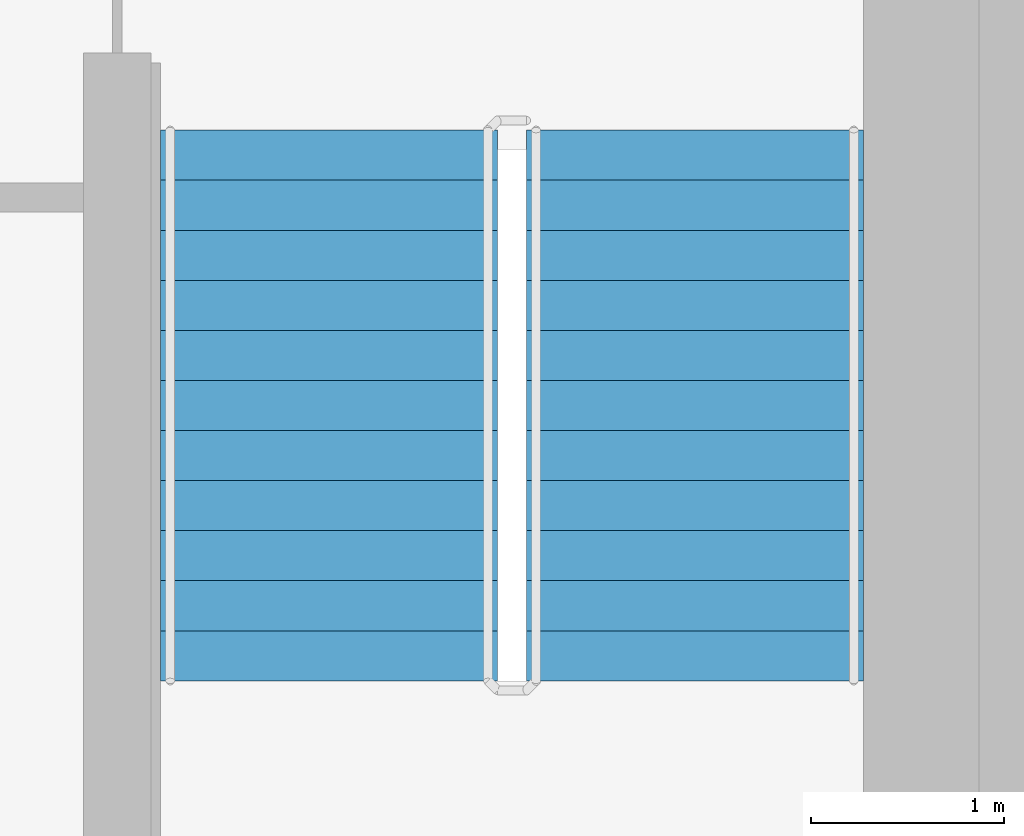
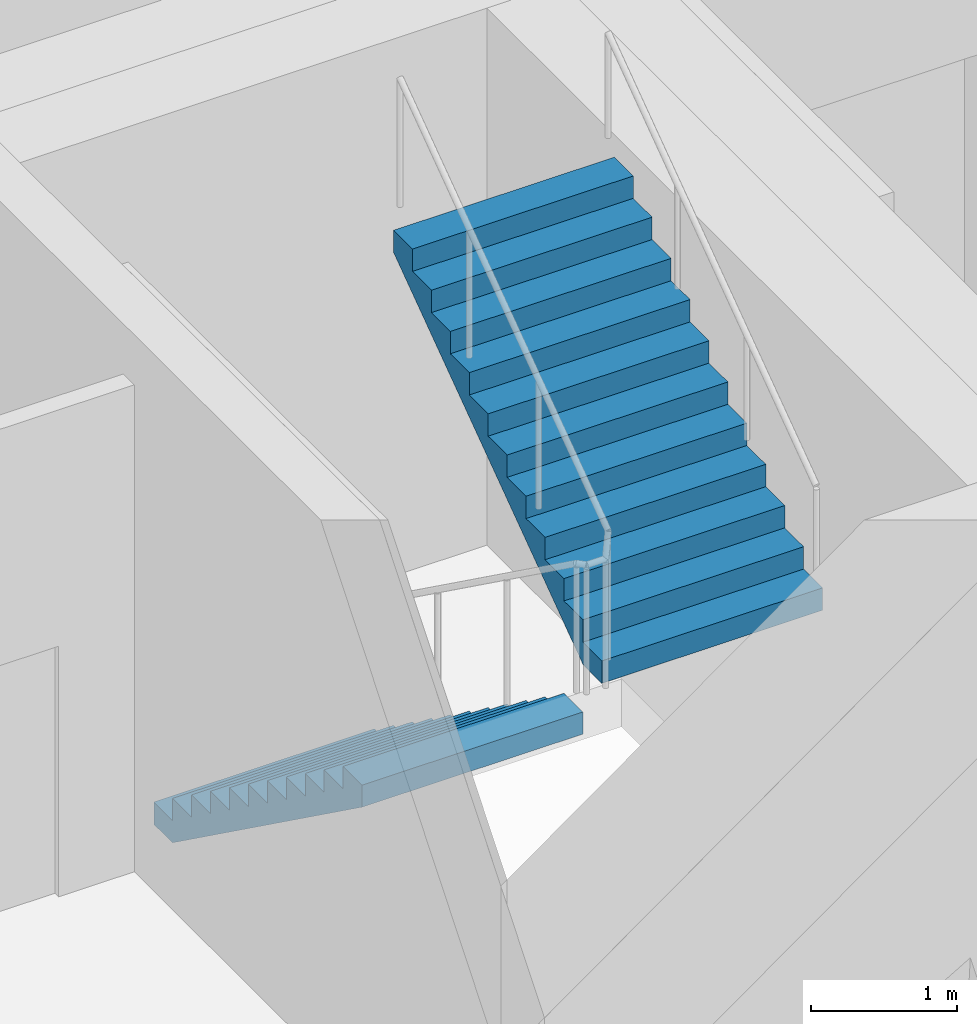
# One storey, part 14 of 20: 2 stair flights, 1 element without a shape of its own.
"""IFC4 building model written with IfcOpenShell, lengths in metres."""

from ifc_helpers import new_model, si_unit, direction, frame, origin, place, context, subcontext, project, spatial, faceted_brep, material, type_object, element, aggregate, save


model = new_model("IFC4")

# Units and contexts
model_context = context("Model", 3, precision=1e-05, world=origin(), true_north=direction((0.0, 1.0)))
body_context = subcontext(model_context, "Body", "Model", "MODEL_VIEW")
ifc_project = project(units=[si_unit("LENGTHUNIT", "METRE"), si_unit("AREAUNIT", "SQUARE_METRE"), si_unit("VOLUMEUNIT", "CUBIC_METRE"), si_unit("PLANEANGLEUNIT", "RADIAN"), si_unit("MASSUNIT", "GRAM", prefix="KILO")], contexts=[model_context])

# Site, building, storey
site_placement = place(None, origin())
site = spatial("IfcSite", under=ifc_project, at=site_placement, CompositionType="ELEMENT")
building_placement = place(site_placement, origin())
building = spatial("IfcBuilding", under=site, at=building_placement, Name="Ipe Terrace Towers", CompositionType="ELEMENT")
storey_placement = place(building_placement, frame((0.0, 0.0, 242.39990234375)))
storey = spatial("IfcBuildingStorey", under=building, at=storey_placement, Name="L67", CompositionType="ELEMENT", Elevation=242.39990234375)

# Stair, stair flights
ifc_material_1 = material(Name="Concrete C30/37", Category="concrete")
stair_type = type_object("IfcStairType", Name="Protected exit stair", PredefinedType="HALF_TURN_STAIR", material=ifc_material_1)
stair_placement = place(storey_placement, origin())
stair = element("IfcStair", 1, at=stair_placement, inside=storey, type_object=stair_type, Name="L67 Exit stair T2-C2", PredefinedType="HALF_TURN_STAIR")
ifc_material_2 = material(Name="Concrete C30/37", Category="concrete")
stair_flight_type = type_object("IfcStairFlightType", Name="Exit stair flight 1750", PredefinedType="STRAIGHT", material=ifc_material_2)
stair_flight_1_placement = place(storey_placement, frame((38.77490234375, -9.699951171875, 0.0), z_axis=(0.0, 0.0, 1.0), x_axis=(0.0, -1.0, 0.0)))
stair_flight_1 = element("IfcStairFlight", 2, at=stair_flight_1_placement, type_object=stair_flight_type, Name="T2-ST2 flight 1", NumberOfRisers=12, NumberOfTreads=11, PredefinedType="STRAIGHT", RiserHeight=0.1875, TreadLength=0.26, context=body_context, shape_type="Brep", body=[
    faceted_brep([(0.25634765625, -0.875, 0.0), (2.860107421875, -0.875, 1.877685546875), (2.860107421875, -0.875, 2.0625), (2.60009765625, -0.875, 2.0625), (2.60009765625, -0.875, 1.875), (2.340087890625, -0.875, 1.875), (2.340087890625, -0.875, 1.6875), (2.080078125, -0.875, 1.6875), (2.080078125, -0.875, 1.5), (1.820068359375, -0.875, 1.5), (1.820068359375, -0.875, 1.3125), (1.56005859375, -0.875, 1.3125), (1.56005859375, -0.875, 1.125), (1.300048828125, -0.875, 1.125), (1.300048828125, -0.875, 0.9375), (1.0400390625, -0.875, 0.9375), (1.0400390625, -0.875, 0.75), (0.780029296875, -0.875, 0.75), (0.780029296875, -0.875, 0.5625), (0.52001953125, -0.875, 0.5625), (0.52001953125, -0.875, 0.375), (0.260009765625, -0.875, 0.375), (0.260009765625, -0.875, 0.1875), (0.0, -0.875, 0.1875), (0.0, -0.875, 0.0), (0.0, 0.875, 0.0), (0.0, 0.875, 0.1875), (0.260009765625, 0.875, 0.1875), (0.260009765625, 0.875, 0.375), (0.52001953125, 0.875, 0.375), (0.52001953125, 0.875, 0.5625), (0.780029296875, 0.875, 0.5625), (0.780029296875, 0.875, 0.75), (1.0400390625, 0.875, 0.75), (1.0400390625, 0.875, 0.9375), (1.300048828125, 0.875, 0.9375), (1.300048828125, 0.875, 1.125), (1.56005859375, 0.875, 1.125), (1.56005859375, 0.875, 1.3125), (1.820068359375, 0.875, 1.3125), (1.820068359375, 0.875, 1.5), (2.080078125, 0.875, 1.5), (2.080078125, 0.875, 1.6875), (2.340087890625, 0.875, 1.6875), (2.340087890625, 0.875, 1.875), (2.60009765625, 0.875, 1.875), (2.60009765625, 0.875, 2.0625), (2.860107421875, 0.875, 2.0625), (2.860107421875, 0.875, 1.877685546875), (0.25634765625, 0.875, 0.0), (0.0, -0.300048828125, 0.1875), (0.0, -0.1201171875, 0.1875), (0.0, -0.06005859375, 0.1875), (0.0, -0.030029296875, 0.1875), (0.0, -0.010009765625, 0.1875), (0.0, 0.0, 0.1875), (0.0, 0.010009765625, 0.1875), (0.0, 0.030029296875, 0.1875), (0.0, 0.06005859375, 0.1875), (0.0, 0.1201171875, 0.1875), (0.0, 0.300048828125, 0.1875), (0.0, 0.300048828125, 0.0), (0.0, 0.1201171875, 0.0), (0.0, 0.06005859375, 0.0), (0.0, 0.030029296875, 0.0), (0.0, 0.010009765625, 0.0), (0.0, 0.0, 0.0), (0.0, -0.010009765625, 0.0), (0.0, -0.030029296875, 0.0), (0.0, -0.06005859375, 0.0), (0.0, -0.1201171875, 0.0), (0.0, -0.300048828125, 0.0), (0.260009765625, -0.300048828125, 0.1875), (0.260009765625, -0.1201171875, 0.1875), (0.260009765625, -0.06005859375, 0.1875), (0.260009765625, -0.030029296875, 0.1875), (0.260009765625, -0.010009765625, 0.1875), (0.260009765625, 0.0, 0.1875), (0.260009765625, 0.010009765625, 0.1875), (0.260009765625, 0.030029296875, 0.1875), (0.260009765625, 0.06005859375, 0.1875), (0.260009765625, 0.1201171875, 0.1875), (0.260009765625, 0.300048828125, 0.1875), (0.260009765625, -0.300048828125, 0.375), (0.260009765625, -0.1201171875, 0.375), (0.260009765625, -0.06005859375, 0.375), (0.260009765625, -0.030029296875, 0.375), (0.260009765625, -0.010009765625, 0.375), (0.260009765625, 0.0, 0.375), (0.260009765625, 0.010009765625, 0.375), (0.260009765625, 0.030029296875, 0.375), (0.260009765625, 0.06005859375, 0.375), (0.260009765625, 0.1201171875, 0.375), (0.260009765625, 0.300048828125, 0.375), (0.52001953125, -0.300048828125, 0.375), (0.52001953125, -0.1201171875, 0.375), (0.52001953125, -0.06005859375, 0.375), (0.52001953125, -0.030029296875, 0.375), (0.52001953125, -0.010009765625, 0.375), (0.52001953125, 0.0, 0.375), (0.52001953125, 0.010009765625, 0.375), (0.52001953125, 0.030029296875, 0.375), (0.52001953125, 0.06005859375, 0.375), (0.52001953125, 0.1201171875, 0.375), (0.52001953125, 0.300048828125, 0.375), (0.52001953125, -0.300048828125, 0.5625), (0.52001953125, -0.1201171875, 0.5625), (0.52001953125, -0.06005859375, 0.5625), (0.52001953125, -0.030029296875, 0.5625), (0.52001953125, -0.010009765625, 0.5625), (0.52001953125, 0.0, 0.5625), (0.52001953125, 0.010009765625, 0.5625), (0.52001953125, 0.030029296875, 0.5625), (0.52001953125, 0.06005859375, 0.5625), (0.52001953125, 0.1201171875, 0.5625), (0.52001953125, 0.300048828125, 0.5625), (0.780029296875, -0.300048828125, 0.5625), (0.780029296875, -0.1201171875, 0.5625), (0.780029296875, -0.06005859375, 0.5625), (0.780029296875, -0.030029296875, 0.5625), (0.780029296875, -0.010009765625, 0.5625), (0.780029296875, 0.0, 0.5625), (0.780029296875, 0.010009765625, 0.5625), (0.780029296875, 0.030029296875, 0.5625), (0.780029296875, 0.06005859375, 0.5625), (0.780029296875, 0.1201171875, 0.5625), (0.780029296875, 0.300048828125, 0.5625), (0.780029296875, -0.300048828125, 0.75), (0.780029296875, -0.1201171875, 0.75), (0.780029296875, -0.06005859375, 0.75), (0.780029296875, -0.030029296875, 0.75), (0.780029296875, -0.010009765625, 0.75), (0.780029296875, 0.0, 0.75), (0.780029296875, 0.010009765625, 0.75), (0.780029296875, 0.030029296875, 0.75), (0.780029296875, 0.06005859375, 0.75), (0.780029296875, 0.1201171875, 0.75), (0.780029296875, 0.300048828125, 0.75), (1.0400390625, -0.300048828125, 0.75), (1.0400390625, -0.1201171875, 0.75), (1.0400390625, -0.06005859375, 0.75), (1.0400390625, -0.030029296875, 0.75), (1.0400390625, -0.010009765625, 0.75), (1.0400390625, 0.0, 0.75), (1.0400390625, 0.010009765625, 0.75), (1.0400390625, 0.030029296875, 0.75), (1.0400390625, 0.06005859375, 0.75), (1.0400390625, 0.1201171875, 0.75), (1.0400390625, 0.300048828125, 0.75), (1.0400390625, -0.300048828125, 0.9375), (1.0400390625, -0.1201171875, 0.9375), (1.0400390625, -0.06005859375, 0.9375), (1.0400390625, -0.030029296875, 0.9375), (1.0400390625, -0.010009765625, 0.9375), (1.0400390625, 0.0, 0.9375), (1.0400390625, 0.010009765625, 0.9375), (1.0400390625, 0.030029296875, 0.9375), (1.0400390625, 0.06005859375, 0.9375), (1.0400390625, 0.1201171875, 0.9375), (1.0400390625, 0.300048828125, 0.9375), (1.300048828125, -0.300048828125, 0.9375), (1.300048828125, -0.1201171875, 0.9375), (1.300048828125, -0.06005859375, 0.9375), (1.300048828125, -0.030029296875, 0.9375), (1.300048828125, -0.010009765625, 0.9375), (1.300048828125, 0.0, 0.9375), (1.300048828125, 0.010009765625, 0.9375), (1.300048828125, 0.030029296875, 0.9375), (1.300048828125, 0.06005859375, 0.9375), (1.300048828125, 0.1201171875, 0.9375), (1.300048828125, 0.300048828125, 0.9375), (1.300048828125, -0.300048828125, 1.125), (1.300048828125, -0.1201171875, 1.125), (1.300048828125, -0.06005859375, 1.125), (1.300048828125, -0.030029296875, 1.125), (1.300048828125, -0.010009765625, 1.125), (1.300048828125, 0.0, 1.125), (1.300048828125, 0.010009765625, 1.125), (1.300048828125, 0.030029296875, 1.125), (1.300048828125, 0.06005859375, 1.125), (1.300048828125, 0.1201171875, 1.125), (1.300048828125, 0.300048828125, 1.125), (1.56005859375, -0.300048828125, 1.125), (1.56005859375, -0.1201171875, 1.125), (1.56005859375, -0.06005859375, 1.125), (1.56005859375, -0.030029296875, 1.125), (1.56005859375, -0.010009765625, 1.125), (1.56005859375, 0.0, 1.125), (1.56005859375, 0.010009765625, 1.125), (1.56005859375, 0.030029296875, 1.125), (1.56005859375, 0.06005859375, 1.125), (1.56005859375, 0.1201171875, 1.125), (1.56005859375, 0.300048828125, 1.125), (1.56005859375, -0.300048828125, 1.3125), (1.56005859375, -0.1201171875, 1.3125), (1.56005859375, -0.06005859375, 1.3125), (1.56005859375, -0.030029296875, 1.3125), (1.56005859375, -0.010009765625, 1.3125), (1.56005859375, 0.0, 1.3125), (1.56005859375, 0.010009765625, 1.3125), (1.56005859375, 0.030029296875, 1.3125), (1.56005859375, 0.06005859375, 1.3125), (1.56005859375, 0.1201171875, 1.3125), (1.56005859375, 0.300048828125, 1.3125), (1.820068359375, -0.300048828125, 1.3125), (1.820068359375, -0.1201171875, 1.3125), (1.820068359375, -0.06005859375, 1.3125), (1.820068359375, -0.030029296875, 1.3125), (1.820068359375, -0.010009765625, 1.3125), (1.820068359375, 0.0, 1.3125), (1.820068359375, 0.010009765625, 1.3125), (1.820068359375, 0.030029296875, 1.3125), (1.820068359375, 0.06005859375, 1.3125), (1.820068359375, 0.1201171875, 1.3125), (1.820068359375, 0.300048828125, 1.3125), (1.820068359375, -0.300048828125, 1.5), (1.820068359375, -0.1201171875, 1.5), (1.820068359375, -0.06005859375, 1.5), (1.820068359375, -0.030029296875, 1.5), (1.820068359375, -0.010009765625, 1.5), (1.820068359375, 0.0, 1.5), (1.820068359375, 0.010009765625, 1.5), (1.820068359375, 0.030029296875, 1.5), (1.820068359375, 0.06005859375, 1.5), (1.820068359375, 0.1201171875, 1.5), (1.820068359375, 0.300048828125, 1.5), (2.080078125, -0.300048828125, 1.5), (2.080078125, -0.1201171875, 1.5), (2.080078125, -0.06005859375, 1.5), (2.080078125, -0.030029296875, 1.5), (2.080078125, -0.010009765625, 1.5), (2.080078125, 0.0, 1.5), (2.080078125, 0.010009765625, 1.5), (2.080078125, 0.030029296875, 1.5), (2.080078125, 0.06005859375, 1.5), (2.080078125, 0.1201171875, 1.5), (2.080078125, 0.300048828125, 1.5), (2.080078125, -0.300048828125, 1.6875), (2.080078125, -0.1201171875, 1.6875), (2.080078125, -0.06005859375, 1.6875), (2.080078125, -0.030029296875, 1.6875), (2.080078125, -0.010009765625, 1.6875), (2.080078125, 0.0, 1.6875), (2.080078125, 0.010009765625, 1.6875), (2.080078125, 0.030029296875, 1.6875), (2.080078125, 0.06005859375, 1.6875), (2.080078125, 0.1201171875, 1.6875), (2.080078125, 0.300048828125, 1.6875), (2.340087890625, -0.300048828125, 1.6875), (2.340087890625, -0.1201171875, 1.6875), (2.340087890625, -0.06005859375, 1.6875), (2.340087890625, -0.030029296875, 1.6875), (2.340087890625, -0.010009765625, 1.6875), (2.340087890625, 0.0, 1.6875), (2.340087890625, 0.010009765625, 1.6875), (2.340087890625, 0.030029296875, 1.6875), (2.340087890625, 0.06005859375, 1.6875), (2.340087890625, 0.1201171875, 1.6875), (2.340087890625, 0.300048828125, 1.6875), (2.340087890625, -0.300048828125, 1.875), (2.340087890625, -0.1201171875, 1.875), (2.340087890625, -0.06005859375, 1.875), (2.340087890625, -0.030029296875, 1.875), (2.340087890625, -0.010009765625, 1.875), (2.340087890625, 0.0, 1.875), (2.340087890625, 0.010009765625, 1.875), (2.340087890625, 0.030029296875, 1.875), (2.340087890625, 0.06005859375, 1.875), (2.340087890625, 0.1201171875, 1.875), (2.340087890625, 0.300048828125, 1.875), (2.60009765625, -0.300048828125, 1.875), (2.60009765625, -0.1201171875, 1.875), (2.60009765625, -0.06005859375, 1.875), (2.60009765625, -0.030029296875, 1.875), (2.60009765625, -0.010009765625, 1.875), (2.60009765625, 0.0, 1.875), (2.60009765625, 0.010009765625, 1.875), (2.60009765625, 0.030029296875, 1.875), (2.60009765625, 0.06005859375, 1.875), (2.60009765625, 0.1201171875, 1.875), (2.60009765625, 0.300048828125, 1.875), (2.60009765625, -0.300048828125, 2.0625), (2.60009765625, -0.1201171875, 2.0625), (2.60009765625, -0.06005859375, 2.0625), (2.60009765625, -0.030029296875, 2.0625), (2.60009765625, -0.010009765625, 2.0625), (2.60009765625, 0.0, 2.0625), (2.60009765625, 0.010009765625, 2.0625), (2.60009765625, 0.030029296875, 2.0625), (2.60009765625, 0.06005859375, 2.0625), (2.60009765625, 0.1201171875, 2.0625), (2.60009765625, 0.300048828125, 2.0625), (2.860107421875, -0.300048828125, 2.0625), (2.860107421875, -0.1201171875, 2.0625), (2.860107421875, -0.06005859375, 2.0625), (2.860107421875, -0.030029296875, 2.0625), (2.860107421875, -0.010009765625, 2.0625), (2.860107421875, 0.0, 2.0625), (2.860107421875, 0.010009765625, 2.0625), (2.860107421875, 0.030029296875, 2.0625), (2.860107421875, 0.06005859375, 2.0625), (2.860107421875, 0.1201171875, 2.0625), (2.860107421875, 0.300048828125, 2.0625), (2.860107421875, -0.300048828125, 1.877685546875), (2.860107421875, -0.1201171875, 1.877685546875), (2.860107421875, -0.06005859375, 1.877685546875), (2.860107421875, -0.030029296875, 1.877685546875), (2.860107421875, -0.010009765625, 1.877685546875), (2.860107421875, 0.0, 1.877685546875), (2.860107421875, 0.010009765625, 1.877685546875), (2.860107421875, 0.030029296875, 1.877685546875), (2.860107421875, 0.06005859375, 1.877685546875), (2.860107421875, 0.1201171875, 1.877685546875), (2.860107421875, 0.300048828125, 1.877685546875), (0.25634765625, -0.300048828125, 0.0), (0.25634765625, -0.1201171875, 0.0), (0.25634765625, -0.06005859375, 0.0), (0.25634765625, -0.030029296875, 0.0), (0.25634765625, -0.010009765625, 0.0), (0.25634765625, 0.0, 0.0), (0.25634765625, 0.010009765625, 0.0), (0.25634765625, 0.030029296875, 0.0), (0.25634765625, 0.06005859375, 0.0), (0.25634765625, 0.1201171875, 0.0), (0.25634765625, 0.300048828125, 0.0)], [[[0, 1, 2, 3, 4, 5, 6, 7, 8, 9, 10, 11, 12, 13, 14, 15, 16, 17, 18, 19, 20, 21, 22, 23, 24]], [[25, 26, 27, 28, 29, 30, 31, 32, 33, 34, 35, 36, 37, 38, 39, 40, 41, 42, 43, 44, 45, 46, 47, 48, 49]], [[23, 50, 51, 52, 53, 54, 55, 56, 57, 58, 59, 60, 26, 25, 61, 62, 63, 64, 65, 66, 67, 68, 69, 70, 71, 24]], [[22, 72, 73, 74, 75, 76, 77, 78, 79, 80, 81, 82, 27, 26, 60, 59, 58, 57, 56, 55, 54, 53, 52, 51, 50, 23]], [[21, 83, 84, 85, 86, 87, 88, 89, 90, 91, 92, 93, 28, 27, 82, 81, 80, 79, 78, 77, 76, 75, 74, 73, 72, 22]], [[20, 94, 95, 96, 97, 98, 99, 100, 101, 102, 103, 104, 29, 28, 93, 92, 91, 90, 89, 88, 87, 86, 85, 84, 83, 21]], [[19, 105, 106, 107, 108, 109, 110, 111, 112, 113, 114, 115, 30, 29, 104, 103, 102, 101, 100, 99, 98, 97, 96, 95, 94, 20]], [[18, 116, 117, 118, 119, 120, 121, 122, 123, 124, 125, 126, 31, 30, 115, 114, 113, 112, 111, 110, 109, 108, 107, 106, 105, 19]], [[17, 127, 128, 129, 130, 131, 132, 133, 134, 135, 136, 137, 32, 31, 126, 125, 124, 123, 122, 121, 120, 119, 118, 117, 116, 18]], [[16, 138, 139, 140, 141, 142, 143, 144, 145, 146, 147, 148, 33, 32, 137, 136, 135, 134, 133, 132, 131, 130, 129, 128, 127, 17]], [[15, 149, 150, 151, 152, 153, 154, 155, 156, 157, 158, 159, 34, 33, 148, 147, 146, 145, 144, 143, 142, 141, 140, 139, 138, 16]], [[14, 160, 161, 162, 163, 164, 165, 166, 167, 168, 169, 170, 35, 34, 159, 158, 157, 156, 155, 154, 153, 152, 151, 150, 149, 15]], [[13, 171, 172, 173, 174, 175, 176, 177, 178, 179, 180, 181, 36, 35, 170, 169, 168, 167, 166, 165, 164, 163, 162, 161, 160, 14]], [[12, 182, 183, 184, 185, 186, 187, 188, 189, 190, 191, 192, 37, 36, 181, 180, 179, 178, 177, 176, 175, 174, 173, 172, 171, 13]], [[11, 193, 194, 195, 196, 197, 198, 199, 200, 201, 202, 203, 38, 37, 192, 191, 190, 189, 188, 187, 186, 185, 184, 183, 182, 12]], [[10, 204, 205, 206, 207, 208, 209, 210, 211, 212, 213, 214, 39, 38, 203, 202, 201, 200, 199, 198, 197, 196, 195, 194, 193, 11]], [[9, 215, 216, 217, 218, 219, 220, 221, 222, 223, 224, 225, 40, 39, 214, 213, 212, 211, 210, 209, 208, 207, 206, 205, 204, 10]], [[8, 226, 227, 228, 229, 230, 231, 232, 233, 234, 235, 236, 41, 40, 225, 224, 223, 222, 221, 220, 219, 218, 217, 216, 215, 9]], [[7, 237, 238, 239, 240, 241, 242, 243, 244, 245, 246, 247, 42, 41, 236, 235, 234, 233, 232, 231, 230, 229, 228, 227, 226, 8]], [[6, 248, 249, 250, 251, 252, 253, 254, 255, 256, 257, 258, 43, 42, 247, 246, 245, 244, 243, 242, 241, 240, 239, 238, 237, 7]], [[5, 259, 260, 261, 262, 263, 264, 265, 266, 267, 268, 269, 44, 43, 258, 257, 256, 255, 254, 253, 252, 251, 250, 249, 248, 6]], [[4, 270, 271, 272, 273, 274, 275, 276, 277, 278, 279, 280, 45, 44, 269, 268, 267, 266, 265, 264, 263, 262, 261, 260, 259, 5]], [[3, 281, 282, 283, 284, 285, 286, 287, 288, 289, 290, 291, 46, 45, 280, 279, 278, 277, 276, 275, 274, 273, 272, 271, 270, 4]], [[2, 292, 293, 294, 295, 296, 297, 298, 299, 300, 301, 302, 47, 46, 291, 290, 289, 288, 287, 286, 285, 284, 283, 282, 281, 3]], [[1, 303, 304, 305, 306, 307, 308, 309, 310, 311, 312, 313, 48, 47, 302, 301, 300, 299, 298, 297, 296, 295, 294, 293, 292, 2]], [[0, 314, 315, 316, 317, 318, 319, 320, 321, 322, 323, 324, 49, 48, 313, 312, 311, 310, 309, 308, 307, 306, 305, 304, 303, 1]], [[24, 71, 70, 69, 68, 67, 66, 65, 64, 63, 62, 61, 25, 49, 324, 323, 322, 321, 320, 319, 318, 317, 316, 315, 314, 0]]]),
])
stair_flight_2_placement = place(storey_placement, frame((40.675048828125, -12.56005859375, 2.25), z_axis=(0.0, 0.0, 1.0), x_axis=(0.0, 1.0, 0.0)))
stair_flight_2 = element("IfcStairFlight", 3, at=stair_flight_2_placement, type_object=stair_flight_type, Name="T2-ST2 flight 2", NumberOfRisers=12, NumberOfTreads=11, PredefinedType="STRAIGHT", RiserHeight=0.1875, TreadLength=0.26, context=body_context, shape_type="Brep", body=[
    faceted_brep([(0.25634765625, -0.875, 0.0), (2.860107421875, -0.875, 1.877685546875), (2.860107421875, -0.875, 2.0625), (2.60009765625, -0.875, 2.0625), (2.60009765625, -0.875, 1.875), (2.340087890625, -0.875, 1.875), (2.340087890625, -0.875, 1.6875), (2.080078125, -0.875, 1.6875), (2.080078125, -0.875, 1.5), (1.820068359375, -0.875, 1.5), (1.820068359375, -0.875, 1.3125), (1.56005859375, -0.875, 1.3125), (1.56005859375, -0.875, 1.125), (1.300048828125, -0.875, 1.125), (1.300048828125, -0.875, 0.9375), (1.0400390625, -0.875, 0.9375), (1.0400390625, -0.875, 0.75), (0.780029296875, -0.875, 0.75), (0.780029296875, -0.875, 0.5625), (0.52001953125, -0.875, 0.5625), (0.52001953125, -0.875, 0.375), (0.260009765625, -0.875, 0.375), (0.260009765625, -0.875, 0.1875), (0.0, -0.875, 0.1875), (0.0, -0.875, 0.0), (0.0, 0.875, 0.0), (0.0, 0.875, 0.1875), (0.260009765625, 0.875, 0.1875), (0.260009765625, 0.875, 0.375), (0.52001953125, 0.875, 0.375), (0.52001953125, 0.875, 0.5625), (0.780029296875, 0.875, 0.5625), (0.780029296875, 0.875, 0.75), (1.0400390625, 0.875, 0.75), (1.0400390625, 0.875, 0.9375), (1.300048828125, 0.875, 0.9375), (1.300048828125, 0.875, 1.125), (1.56005859375, 0.875, 1.125), (1.56005859375, 0.875, 1.3125), (1.820068359375, 0.875, 1.3125), (1.820068359375, 0.875, 1.5), (2.080078125, 0.875, 1.5), (2.080078125, 0.875, 1.6875), (2.340087890625, 0.875, 1.6875), (2.340087890625, 0.875, 1.875), (2.60009765625, 0.875, 1.875), (2.60009765625, 0.875, 2.0625), (2.860107421875, 0.875, 2.0625), (2.860107421875, 0.875, 1.877685546875), (0.25634765625, 0.875, 0.0), (0.0, -0.300048828125, 0.1875), (0.0, -0.1201171875, 0.1875), (0.0, -0.06005859375, 0.1875), (0.0, -0.030029296875, 0.1875), (0.0, -0.010009765625, 0.1875), (0.0, 0.0, 0.1875), (0.0, 0.010009765625, 0.1875), (0.0, 0.030029296875, 0.1875), (0.0, 0.06005859375, 0.1875), (0.0, 0.1201171875, 0.1875), (0.0, 0.300048828125, 0.1875), (0.0, 0.300048828125, 0.0), (0.0, 0.1201171875, 0.0), (0.0, 0.06005859375, 0.0), (0.0, 0.030029296875, 0.0), (0.0, 0.010009765625, 0.0), (0.0, 0.0, 0.0), (0.0, -0.010009765625, 0.0), (0.0, -0.030029296875, 0.0), (0.0, -0.06005859375, 0.0), (0.0, -0.1201171875, 0.0), (0.0, -0.300048828125, 0.0), (0.260009765625, -0.300048828125, 0.1875), (0.260009765625, -0.1201171875, 0.1875), (0.260009765625, -0.06005859375, 0.1875), (0.260009765625, -0.030029296875, 0.1875), (0.260009765625, -0.010009765625, 0.1875), (0.260009765625, 0.0, 0.1875), (0.260009765625, 0.010009765625, 0.1875), (0.260009765625, 0.030029296875, 0.1875), (0.260009765625, 0.06005859375, 0.1875), (0.260009765625, 0.1201171875, 0.1875), (0.260009765625, 0.300048828125, 0.1875), (0.260009765625, -0.300048828125, 0.375), (0.260009765625, -0.1201171875, 0.375), (0.260009765625, -0.06005859375, 0.375), (0.260009765625, -0.030029296875, 0.375), (0.260009765625, -0.010009765625, 0.375), (0.260009765625, 0.0, 0.375), (0.260009765625, 0.010009765625, 0.375), (0.260009765625, 0.030029296875, 0.375), (0.260009765625, 0.06005859375, 0.375), (0.260009765625, 0.1201171875, 0.375), (0.260009765625, 0.300048828125, 0.375), (0.52001953125, -0.300048828125, 0.375), (0.52001953125, -0.1201171875, 0.375), (0.52001953125, -0.06005859375, 0.375), (0.52001953125, -0.030029296875, 0.375), (0.52001953125, -0.010009765625, 0.375), (0.52001953125, 0.0, 0.375), (0.52001953125, 0.010009765625, 0.375), (0.52001953125, 0.030029296875, 0.375), (0.52001953125, 0.06005859375, 0.375), (0.52001953125, 0.1201171875, 0.375), (0.52001953125, 0.300048828125, 0.375), (0.52001953125, -0.300048828125, 0.5625), (0.52001953125, -0.1201171875, 0.5625), (0.52001953125, -0.06005859375, 0.5625), (0.52001953125, -0.030029296875, 0.5625), (0.52001953125, -0.010009765625, 0.5625), (0.52001953125, 0.0, 0.5625), (0.52001953125, 0.010009765625, 0.5625), (0.52001953125, 0.030029296875, 0.5625), (0.52001953125, 0.06005859375, 0.5625), (0.52001953125, 0.1201171875, 0.5625), (0.52001953125, 0.300048828125, 0.5625), (0.780029296875, -0.300048828125, 0.5625), (0.780029296875, -0.1201171875, 0.5625), (0.780029296875, -0.06005859375, 0.5625), (0.780029296875, -0.030029296875, 0.5625), (0.780029296875, -0.010009765625, 0.5625), (0.780029296875, 0.0, 0.5625), (0.780029296875, 0.010009765625, 0.5625), (0.780029296875, 0.030029296875, 0.5625), (0.780029296875, 0.06005859375, 0.5625), (0.780029296875, 0.1201171875, 0.5625), (0.780029296875, 0.300048828125, 0.5625), (0.780029296875, -0.300048828125, 0.75), (0.780029296875, -0.1201171875, 0.75), (0.780029296875, -0.06005859375, 0.75), (0.780029296875, -0.030029296875, 0.75), (0.780029296875, -0.010009765625, 0.75), (0.780029296875, 0.0, 0.75), (0.780029296875, 0.010009765625, 0.75), (0.780029296875, 0.030029296875, 0.75), (0.780029296875, 0.06005859375, 0.75), (0.780029296875, 0.1201171875, 0.75), (0.780029296875, 0.300048828125, 0.75), (1.0400390625, -0.300048828125, 0.75), (1.0400390625, -0.1201171875, 0.75), (1.0400390625, -0.06005859375, 0.75), (1.0400390625, -0.030029296875, 0.75), (1.0400390625, -0.010009765625, 0.75), (1.0400390625, 0.0, 0.75), (1.0400390625, 0.010009765625, 0.75), (1.0400390625, 0.030029296875, 0.75), (1.0400390625, 0.06005859375, 0.75), (1.0400390625, 0.1201171875, 0.75), (1.0400390625, 0.300048828125, 0.75), (1.0400390625, -0.300048828125, 0.9375), (1.0400390625, -0.1201171875, 0.9375), (1.0400390625, -0.06005859375, 0.9375), (1.0400390625, -0.030029296875, 0.9375), (1.0400390625, -0.010009765625, 0.9375), (1.0400390625, 0.0, 0.9375), (1.0400390625, 0.010009765625, 0.9375), (1.0400390625, 0.030029296875, 0.9375), (1.0400390625, 0.06005859375, 0.9375), (1.0400390625, 0.1201171875, 0.9375), (1.0400390625, 0.300048828125, 0.9375), (1.300048828125, -0.300048828125, 0.9375), (1.300048828125, -0.1201171875, 0.9375), (1.300048828125, -0.06005859375, 0.9375), (1.300048828125, -0.030029296875, 0.9375), (1.300048828125, -0.010009765625, 0.9375), (1.300048828125, 0.0, 0.9375), (1.300048828125, 0.010009765625, 0.9375), (1.300048828125, 0.030029296875, 0.9375), (1.300048828125, 0.06005859375, 0.9375), (1.300048828125, 0.1201171875, 0.9375), (1.300048828125, 0.300048828125, 0.9375), (1.300048828125, -0.300048828125, 1.125), (1.300048828125, -0.1201171875, 1.125), (1.300048828125, -0.06005859375, 1.125), (1.300048828125, -0.030029296875, 1.125), (1.300048828125, -0.010009765625, 1.125), (1.300048828125, 0.0, 1.125), (1.300048828125, 0.010009765625, 1.125), (1.300048828125, 0.030029296875, 1.125), (1.300048828125, 0.06005859375, 1.125), (1.300048828125, 0.1201171875, 1.125), (1.300048828125, 0.300048828125, 1.125), (1.56005859375, -0.300048828125, 1.125), (1.56005859375, -0.1201171875, 1.125), (1.56005859375, -0.06005859375, 1.125), (1.56005859375, -0.030029296875, 1.125), (1.56005859375, -0.010009765625, 1.125), (1.56005859375, 0.0, 1.125), (1.56005859375, 0.010009765625, 1.125), (1.56005859375, 0.030029296875, 1.125), (1.56005859375, 0.06005859375, 1.125), (1.56005859375, 0.1201171875, 1.125), (1.56005859375, 0.300048828125, 1.125), (1.56005859375, -0.300048828125, 1.3125), (1.56005859375, -0.1201171875, 1.3125), (1.56005859375, -0.06005859375, 1.3125), (1.56005859375, -0.030029296875, 1.3125), (1.56005859375, -0.010009765625, 1.3125), (1.56005859375, 0.0, 1.3125), (1.56005859375, 0.010009765625, 1.3125), (1.56005859375, 0.030029296875, 1.3125), (1.56005859375, 0.06005859375, 1.3125), (1.56005859375, 0.1201171875, 1.3125), (1.56005859375, 0.300048828125, 1.3125), (1.820068359375, -0.300048828125, 1.3125), (1.820068359375, -0.1201171875, 1.3125), (1.820068359375, -0.06005859375, 1.3125), (1.820068359375, -0.030029296875, 1.3125), (1.820068359375, -0.010009765625, 1.3125), (1.820068359375, 0.0, 1.3125), (1.820068359375, 0.010009765625, 1.3125), (1.820068359375, 0.030029296875, 1.3125), (1.820068359375, 0.06005859375, 1.3125), (1.820068359375, 0.1201171875, 1.3125), (1.820068359375, 0.300048828125, 1.3125), (1.820068359375, -0.300048828125, 1.5), (1.820068359375, -0.1201171875, 1.5), (1.820068359375, -0.06005859375, 1.5), (1.820068359375, -0.030029296875, 1.5), (1.820068359375, -0.010009765625, 1.5), (1.820068359375, 0.0, 1.5), (1.820068359375, 0.010009765625, 1.5), (1.820068359375, 0.030029296875, 1.5), (1.820068359375, 0.06005859375, 1.5), (1.820068359375, 0.1201171875, 1.5), (1.820068359375, 0.300048828125, 1.5), (2.080078125, -0.300048828125, 1.5), (2.080078125, -0.1201171875, 1.5), (2.080078125, -0.06005859375, 1.5), (2.080078125, -0.030029296875, 1.5), (2.080078125, -0.010009765625, 1.5), (2.080078125, 0.0, 1.5), (2.080078125, 0.010009765625, 1.5), (2.080078125, 0.030029296875, 1.5), (2.080078125, 0.06005859375, 1.5), (2.080078125, 0.1201171875, 1.5), (2.080078125, 0.300048828125, 1.5), (2.080078125, -0.300048828125, 1.6875), (2.080078125, -0.1201171875, 1.6875), (2.080078125, -0.06005859375, 1.6875), (2.080078125, -0.030029296875, 1.6875), (2.080078125, -0.010009765625, 1.6875), (2.080078125, 0.0, 1.6875), (2.080078125, 0.010009765625, 1.6875), (2.080078125, 0.030029296875, 1.6875), (2.080078125, 0.06005859375, 1.6875), (2.080078125, 0.1201171875, 1.6875), (2.080078125, 0.300048828125, 1.6875), (2.340087890625, -0.300048828125, 1.6875), (2.340087890625, -0.1201171875, 1.6875), (2.340087890625, -0.06005859375, 1.6875), (2.340087890625, -0.030029296875, 1.6875), (2.340087890625, -0.010009765625, 1.6875), (2.340087890625, 0.0, 1.6875), (2.340087890625, 0.010009765625, 1.6875), (2.340087890625, 0.030029296875, 1.6875), (2.340087890625, 0.06005859375, 1.6875), (2.340087890625, 0.1201171875, 1.6875), (2.340087890625, 0.300048828125, 1.6875), (2.340087890625, -0.300048828125, 1.875), (2.340087890625, -0.1201171875, 1.875), (2.340087890625, -0.06005859375, 1.875), (2.340087890625, -0.030029296875, 1.875), (2.340087890625, -0.010009765625, 1.875), (2.340087890625, 0.0, 1.875), (2.340087890625, 0.010009765625, 1.875), (2.340087890625, 0.030029296875, 1.875), (2.340087890625, 0.06005859375, 1.875), (2.340087890625, 0.1201171875, 1.875), (2.340087890625, 0.300048828125, 1.875), (2.60009765625, -0.300048828125, 1.875), (2.60009765625, -0.1201171875, 1.875), (2.60009765625, -0.06005859375, 1.875), (2.60009765625, -0.030029296875, 1.875), (2.60009765625, -0.010009765625, 1.875), (2.60009765625, 0.0, 1.875), (2.60009765625, 0.010009765625, 1.875), (2.60009765625, 0.030029296875, 1.875), (2.60009765625, 0.06005859375, 1.875), (2.60009765625, 0.1201171875, 1.875), (2.60009765625, 0.300048828125, 1.875), (2.60009765625, -0.300048828125, 2.0625), (2.60009765625, -0.1201171875, 2.0625), (2.60009765625, -0.06005859375, 2.0625), (2.60009765625, -0.030029296875, 2.0625), (2.60009765625, -0.010009765625, 2.0625), (2.60009765625, 0.0, 2.0625), (2.60009765625, 0.010009765625, 2.0625), (2.60009765625, 0.030029296875, 2.0625), (2.60009765625, 0.06005859375, 2.0625), (2.60009765625, 0.1201171875, 2.0625), (2.60009765625, 0.300048828125, 2.0625), (2.860107421875, -0.300048828125, 2.0625), (2.860107421875, -0.1201171875, 2.0625), (2.860107421875, -0.06005859375, 2.0625), (2.860107421875, -0.030029296875, 2.0625), (2.860107421875, -0.010009765625, 2.0625), (2.860107421875, 0.0, 2.0625), (2.860107421875, 0.010009765625, 2.0625), (2.860107421875, 0.030029296875, 2.0625), (2.860107421875, 0.06005859375, 2.0625), (2.860107421875, 0.1201171875, 2.0625), (2.860107421875, 0.300048828125, 2.0625), (2.860107421875, -0.300048828125, 1.877685546875), (2.860107421875, -0.1201171875, 1.877685546875), (2.860107421875, -0.06005859375, 1.877685546875), (2.860107421875, -0.030029296875, 1.877685546875), (2.860107421875, -0.010009765625, 1.877685546875), (2.860107421875, 0.0, 1.877685546875), (2.860107421875, 0.010009765625, 1.877685546875), (2.860107421875, 0.030029296875, 1.877685546875), (2.860107421875, 0.06005859375, 1.877685546875), (2.860107421875, 0.1201171875, 1.877685546875), (2.860107421875, 0.300048828125, 1.877685546875), (0.25634765625, -0.300048828125, 0.0), (0.25634765625, -0.1201171875, 0.0), (0.25634765625, -0.06005859375, 0.0), (0.25634765625, -0.030029296875, 0.0), (0.25634765625, -0.010009765625, 0.0), (0.25634765625, 0.0, 0.0), (0.25634765625, 0.010009765625, 0.0), (0.25634765625, 0.030029296875, 0.0), (0.25634765625, 0.06005859375, 0.0), (0.25634765625, 0.1201171875, 0.0), (0.25634765625, 0.300048828125, 0.0)], [[[0, 1, 2, 3, 4, 5, 6, 7, 8, 9, 10, 11, 12, 13, 14, 15, 16, 17, 18, 19, 20, 21, 22, 23, 24]], [[25, 26, 27, 28, 29, 30, 31, 32, 33, 34, 35, 36, 37, 38, 39, 40, 41, 42, 43, 44, 45, 46, 47, 48, 49]], [[23, 50, 51, 52, 53, 54, 55, 56, 57, 58, 59, 60, 26, 25, 61, 62, 63, 64, 65, 66, 67, 68, 69, 70, 71, 24]], [[22, 72, 73, 74, 75, 76, 77, 78, 79, 80, 81, 82, 27, 26, 60, 59, 58, 57, 56, 55, 54, 53, 52, 51, 50, 23]], [[21, 83, 84, 85, 86, 87, 88, 89, 90, 91, 92, 93, 28, 27, 82, 81, 80, 79, 78, 77, 76, 75, 74, 73, 72, 22]], [[20, 94, 95, 96, 97, 98, 99, 100, 101, 102, 103, 104, 29, 28, 93, 92, 91, 90, 89, 88, 87, 86, 85, 84, 83, 21]], [[19, 105, 106, 107, 108, 109, 110, 111, 112, 113, 114, 115, 30, 29, 104, 103, 102, 101, 100, 99, 98, 97, 96, 95, 94, 20]], [[18, 116, 117, 118, 119, 120, 121, 122, 123, 124, 125, 126, 31, 30, 115, 114, 113, 112, 111, 110, 109, 108, 107, 106, 105, 19]], [[17, 127, 128, 129, 130, 131, 132, 133, 134, 135, 136, 137, 32, 31, 126, 125, 124, 123, 122, 121, 120, 119, 118, 117, 116, 18]], [[16, 138, 139, 140, 141, 142, 143, 144, 145, 146, 147, 148, 33, 32, 137, 136, 135, 134, 133, 132, 131, 130, 129, 128, 127, 17]], [[15, 149, 150, 151, 152, 153, 154, 155, 156, 157, 158, 159, 34, 33, 148, 147, 146, 145, 144, 143, 142, 141, 140, 139, 138, 16]], [[14, 160, 161, 162, 163, 164, 165, 166, 167, 168, 169, 170, 35, 34, 159, 158, 157, 156, 155, 154, 153, 152, 151, 150, 149, 15]], [[13, 171, 172, 173, 174, 175, 176, 177, 178, 179, 180, 181, 36, 35, 170, 169, 168, 167, 166, 165, 164, 163, 162, 161, 160, 14]], [[12, 182, 183, 184, 185, 186, 187, 188, 189, 190, 191, 192, 37, 36, 181, 180, 179, 178, 177, 176, 175, 174, 173, 172, 171, 13]], [[11, 193, 194, 195, 196, 197, 198, 199, 200, 201, 202, 203, 38, 37, 192, 191, 190, 189, 188, 187, 186, 185, 184, 183, 182, 12]], [[10, 204, 205, 206, 207, 208, 209, 210, 211, 212, 213, 214, 39, 38, 203, 202, 201, 200, 199, 198, 197, 196, 195, 194, 193, 11]], [[9, 215, 216, 217, 218, 219, 220, 221, 222, 223, 224, 225, 40, 39, 214, 213, 212, 211, 210, 209, 208, 207, 206, 205, 204, 10]], [[8, 226, 227, 228, 229, 230, 231, 232, 233, 234, 235, 236, 41, 40, 225, 224, 223, 222, 221, 220, 219, 218, 217, 216, 215, 9]], [[7, 237, 238, 239, 240, 241, 242, 243, 244, 245, 246, 247, 42, 41, 236, 235, 234, 233, 232, 231, 230, 229, 228, 227, 226, 8]], [[6, 248, 249, 250, 251, 252, 253, 254, 255, 256, 257, 258, 43, 42, 247, 246, 245, 244, 243, 242, 241, 240, 239, 238, 237, 7]], [[5, 259, 260, 261, 262, 263, 264, 265, 266, 267, 268, 269, 44, 43, 258, 257, 256, 255, 254, 253, 252, 251, 250, 249, 248, 6]], [[4, 270, 271, 272, 273, 274, 275, 276, 277, 278, 279, 280, 45, 44, 269, 268, 267, 266, 265, 264, 263, 262, 261, 260, 259, 5]], [[3, 281, 282, 283, 284, 285, 286, 287, 288, 289, 290, 291, 46, 45, 280, 279, 278, 277, 276, 275, 274, 273, 272, 271, 270, 4]], [[2, 292, 293, 294, 295, 296, 297, 298, 299, 300, 301, 302, 47, 46, 291, 290, 289, 288, 287, 286, 285, 284, 283, 282, 281, 3]], [[1, 303, 304, 305, 306, 307, 308, 309, 310, 311, 312, 313, 48, 47, 302, 301, 300, 299, 298, 297, 296, 295, 294, 293, 292, 2]], [[0, 314, 315, 316, 317, 318, 319, 320, 321, 322, 323, 324, 49, 48, 313, 312, 311, 310, 309, 308, 307, 306, 305, 304, 303, 1]], [[24, 71, 70, 69, 68, 67, 66, 65, 64, 63, 62, 61, 25, 49, 324, 323, 322, 321, 320, 319, 318, 317, 316, 315, 314, 0]]]),
])
aggregate(stair, [stair_flight_1, stair_flight_2])

save(model, "model.ifc")
